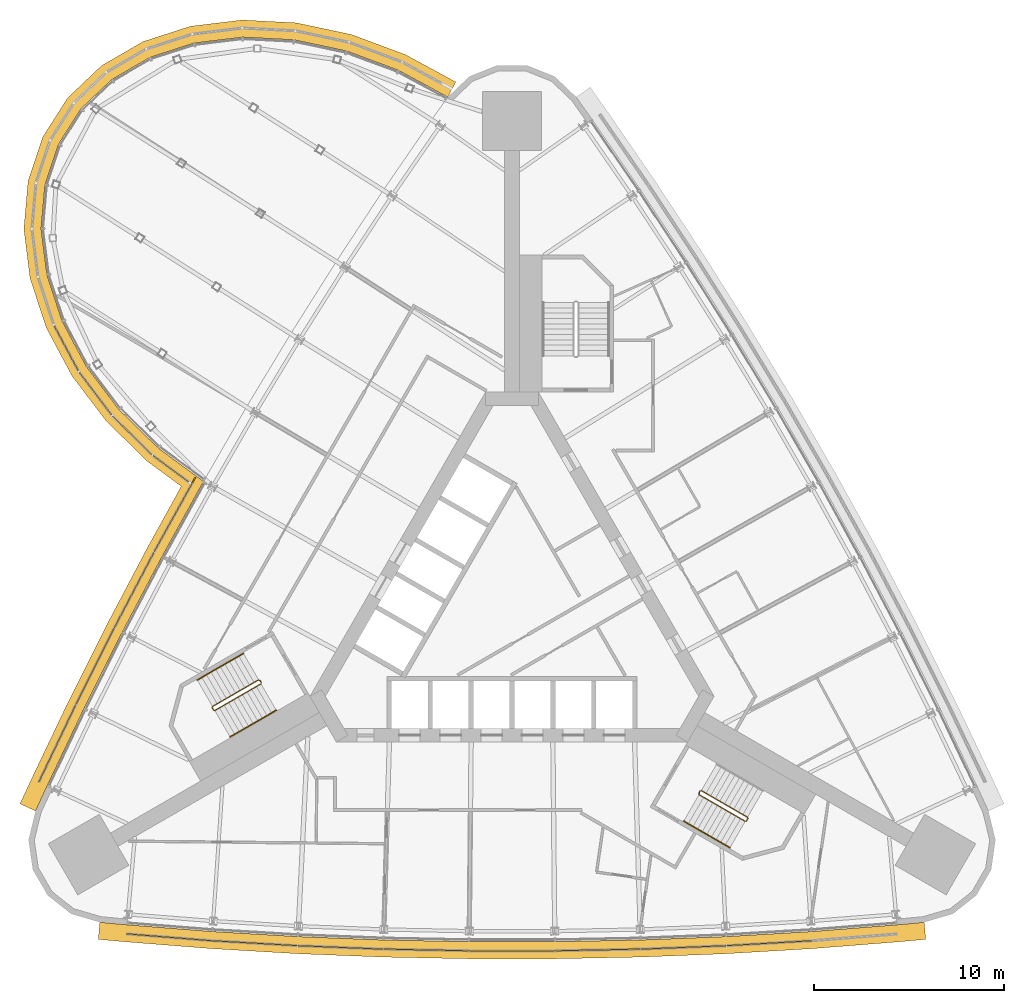
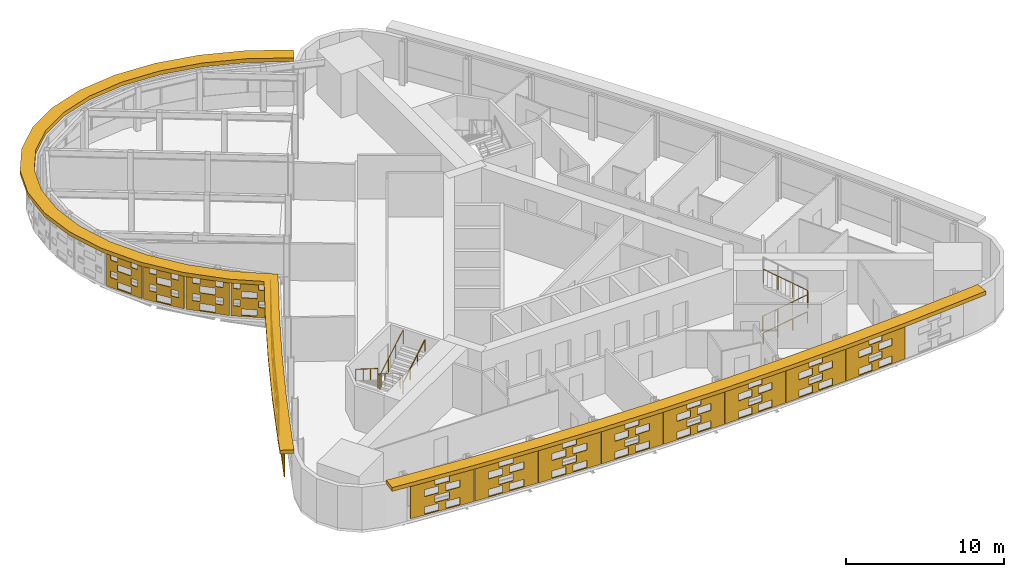
# One storey, part 15 of 17: 18 shading devices, 5 railings.
"""IFC4 building model written with IfcOpenShell, lengths in metres."""

from ifc_helpers import new_model, si_unit, direction, frame, origin, origin_2d, place, context, subcontext, project, spatial, polyline, circle, outline, extrude, material, layer, layer_set, material_profile, profile_set, type_object, element, save


model = new_model("IFC4")

# Units and contexts
model_context = context("Model", 3, precision=1e-05, world=origin(), true_north=direction((0.0, 1.0)))
body_context = subcontext(model_context, "Body", "Model", "MODEL_VIEW")
ifc_project = project(units=[si_unit("LENGTHUNIT", "METRE"), si_unit("AREAUNIT", "SQUARE_METRE"), si_unit("VOLUMEUNIT", "CUBIC_METRE"), si_unit("PLANEANGLEUNIT", "RADIAN"), si_unit("MASSUNIT", "GRAM", prefix="KILO")], contexts=[model_context])

# Site, building, storey
site_placement = place(None, origin())
site = spatial("IfcSite", under=ifc_project, at=site_placement, CompositionType="ELEMENT")
building_placement = place(site_placement, origin())
building = spatial("IfcBuilding", under=site, at=building_placement, Name="Noor Cloister Tower", CompositionType="ELEMENT")
storey_placement = place(building_placement, frame((0.0, 0.0, 102.300048828125)))
storey = spatial("IfcBuildingStorey", under=building, at=storey_placement, Name="L26", CompositionType="ELEMENT", Elevation=102.300048828125)

# Shading devices
ifc_material_1 = material(Name="Limestone", Category="masonry")
ifc_material_profile = material_profile(ifc_material_1, outline(polyline([(-2.22998046875, -1.35009765625), (2.22998046875, -1.35009765625), (2.22998046875, 1.35009765625), (-2.22998046875, 1.35009765625), (-2.22998046875, -1.35009765625)]), holes=[polyline([(-1.25, -1.282470703125), (-0.25, -1.282470703125), (-0.25, -0.742431640625), (-1.25, -0.742431640625), (-1.25, -1.282470703125)]), polyline([(0.25, -1.282470703125), (1.25, -1.282470703125), (1.25, -0.742431640625), (0.25, -0.742431640625), (0.25, -1.282470703125)]), polyline([(-0.5, -0.607421875), (0.5, -0.607421875), (0.5, -0.0673828125), (-0.5, -0.0673828125), (-0.5, -0.607421875)]), polyline([(-1.25, 0.0673828125), (-0.25, 0.0673828125), (-0.25, 0.607421875), (-1.25, 0.607421875), (-1.25, 0.0673828125)]), polyline([(0.25, 0.0673828125), (1.25, 0.0673828125), (1.25, 0.607421875), (0.25, 0.607421875), (0.25, 0.0673828125)]), polyline([(-0.5, 0.742431640625), (0.5, 0.742431640625), (0.5, 1.282470703125), (-0.5, 1.282470703125), (-0.5, 0.742431640625)])]), Name="Woven screen 28 percent open")
ifc_profile_set = profile_set([ifc_material_profile], Name="Limestone")
shading_device_type_1 = type_object("IfcShadingDeviceType", Name="SCREEN woven limestone 28 percent open", PredefinedType="USERDEFINED", material=ifc_profile_set)
shading_device_1_placement = place(storey_placement, frame((-17.6884765625, 5.006591796875, 1.849853515625), z_axis=(-0.874923997532, 0.484260259099, 0.0), x_axis=(-0.484260259099, -0.874923997532, 0.0)))
element("IfcShadingDevice", 1, at=shading_device_1_placement, inside=storey, type_object=shading_device_type_1, Name="SCREEN L26 18", ObjectType="SCREEN", PredefinedType="USERDEFINED", context=body_context, shape_type="SweptSolid", body=[
    extrude(outline(polyline([(-2.22998046875, -1.35009765625), (2.22998046875, -1.35009765625), (2.22998046875, 1.35009765625), (-2.22998046875, 1.35009765625), (-2.22998046875, -1.35009765625)]), holes=[polyline([(-1.25, -1.282470703125), (-0.25, -1.282470703125), (-0.25, -0.742431640625), (-1.25, -0.742431640625), (-1.25, -1.282470703125)]), polyline([(0.25, -1.282470703125), (1.25, -1.282470703125), (1.25, -0.742431640625), (0.25, -0.742431640625), (0.25, -1.282470703125)]), polyline([(-0.5, -0.607421875), (0.5, -0.607421875), (0.5, -0.0673828125), (-0.5, -0.0673828125), (-0.5, -0.607421875)]), polyline([(-1.25, 0.0673828125), (-0.25, 0.0673828125), (-0.25, 0.607421875), (-1.25, 0.607421875), (-1.25, 0.0673828125)]), polyline([(0.25, 0.0673828125), (1.25, 0.0673828125), (1.25, 0.607421875), (0.25, 0.607421875), (0.25, 0.0673828125)]), polyline([(-0.5, 0.742431640625), (0.5, 0.742431640625), (0.5, 1.282470703125), (-0.5, 1.282470703125), (-0.5, 0.742431640625)])]), origin(), (0.0, 0.0, 1.0), 0.06005859375),
])
shading_device_2_placement = place(storey_placement, frame((-19.82666015625, 1.037353515625, 1.849853515625), z_axis=(-0.885271944608, 0.465073740486, 0.0), x_axis=(-0.465073740486, -0.885271944608, 0.0)))
element("IfcShadingDevice", 2, at=shading_device_2_placement, inside=storey, type_object=shading_device_type_1, Name="SCREEN L26 19", ObjectType="SCREEN", PredefinedType="USERDEFINED", context=body_context, shape_type="SweptSolid", body=[
    extrude(outline(polyline([(-2.22998046875, -1.35009765625), (2.22998046875, -1.35009765625), (2.22998046875, 1.35009765625), (-2.22998046875, 1.35009765625), (-2.22998046875, -1.35009765625)]), holes=[polyline([(-1.25, -1.282470703125), (-0.25, -1.282470703125), (-0.25, -0.742431640625), (-1.25, -0.742431640625), (-1.25, -1.282470703125)]), polyline([(0.25, -1.282470703125), (1.25, -1.282470703125), (1.25, -0.742431640625), (0.25, -0.742431640625), (0.25, -1.282470703125)]), polyline([(-0.5, -0.607421875), (0.5, -0.607421875), (0.5, -0.0673828125), (-0.5, -0.0673828125), (-0.5, -0.607421875)]), polyline([(-1.25, 0.0673828125), (-0.25, 0.0673828125), (-0.25, 0.607421875), (-1.25, 0.607421875), (-1.25, 0.0673828125)]), polyline([(0.25, 0.0673828125), (1.25, 0.0673828125), (1.25, 0.607421875), (0.25, 0.607421875), (0.25, 0.0673828125)]), polyline([(-0.5, 0.742431640625), (0.5, 0.742431640625), (0.5, 1.282470703125), (-0.5, 1.282470703125), (-0.5, 0.742431640625)])]), origin(), (0.0, 0.0, 1.0), 0.059814453125),
])
for number, where, z_axis, x_axis, name in (
    (3, (-21.885986328125, -2.973388671875, 1.849853515625), (-0.894427191, 0.4472135955, 0.0), (-0.4472135955, -0.894427191, 0.0), "SCREEN L26 20"),
    (4, (-23.8662109375, -7.02392578125, 1.849853515625), (-0.902409201061, 0.430880068975, 0.0), (-0.430880068975, -0.902409201061, 0.0), "SCREEN L26 21"),
    (5, (-18.015869140625, -17.15673828125, 1.849853515625), (-0.081362009455, -0.996684615823, 0.0), (0.996684615823, -0.081362009455, 0.0), "SCREEN L26 1"),
):
    element("IfcShadingDevice", number, at=place(storey_placement, frame(where, z_axis=z_axis, x_axis=x_axis)), inside=storey, type_object=shading_device_type_1, Name=name, ObjectType="SCREEN", PredefinedType="USERDEFINED", context=body_context, shape_type="SweptSolid", body=[
        extrude(outline(polyline([(-2.22998046875, -1.35009765625), (2.22998046875, -1.35009765625), (2.22998046875, 1.35009765625), (-2.22998046875, 1.35009765625), (-2.22998046875, -1.35009765625)]), holes=[polyline([(-1.25, -1.282470703125), (-0.25, -1.282470703125), (-0.25, -0.742431640625), (-1.25, -0.742431640625), (-1.25, -1.282470703125)]), polyline([(0.25, -1.282470703125), (1.25, -1.282470703125), (1.25, -0.742431640625), (0.25, -0.742431640625), (0.25, -1.282470703125)]), polyline([(-0.5, -0.607421875), (0.5, -0.607421875), (0.5, -0.0673828125), (-0.5, -0.0673828125), (-0.5, -0.607421875)]), polyline([(-1.25, 0.0673828125), (-0.25, 0.0673828125), (-0.25, 0.607421875), (-1.25, 0.607421875), (-1.25, 0.0673828125)]), polyline([(0.25, 0.0673828125), (1.25, 0.0673828125), (1.25, 0.607421875), (0.25, 0.607421875), (0.25, 0.0673828125)]), polyline([(-0.5, 0.742431640625), (0.5, 0.742431640625), (0.5, 1.282470703125), (-0.5, 1.282470703125), (-0.5, 0.742431640625)])]), origin(), (0.0, 0.0, 1.0), 0.06005859375),
    ])
shading_device_3_placement = place(storey_placement, frame((-13.51806640625, -17.46728515625, 1.849853515625), z_axis=(-0.057049790539, -0.998371334424, 0.0), x_axis=(0.998371334424, -0.057049790539, 0.0)))
element("IfcShadingDevice", 6, at=shading_device_3_placement, inside=storey, type_object=shading_device_type_1, Name="SCREEN L26 2", ObjectType="SCREEN", PredefinedType="USERDEFINED", context=body_context, shape_type="SweptSolid", body=[
    extrude(outline(polyline([(-2.22998046875, -1.35009765625), (2.22998046875, -1.35009765625), (2.22998046875, 1.35009765625), (-2.22998046875, 1.35009765625), (-2.22998046875, -1.35009765625)]), holes=[polyline([(-1.25, -1.282470703125), (-0.25, -1.282470703125), (-0.25, -0.742431640625), (-1.25, -0.742431640625), (-1.25, -1.282470703125)]), polyline([(0.25, -1.282470703125), (1.25, -1.282470703125), (1.25, -0.742431640625), (0.25, -0.742431640625), (0.25, -1.282470703125)]), polyline([(-0.5, -0.607421875), (0.5, -0.607421875), (0.5, -0.0673828125), (-0.5, -0.0673828125), (-0.5, -0.607421875)]), polyline([(-1.25, 0.0673828125), (-0.25, 0.0673828125), (-0.25, 0.607421875), (-1.25, 0.607421875), (-1.25, 0.0673828125)]), polyline([(0.25, 0.0673828125), (1.25, 0.0673828125), (1.25, 0.607421875), (0.25, 0.607421875), (0.25, 0.0673828125)]), polyline([(-0.5, 0.742431640625), (0.5, 0.742431640625), (0.5, 1.282470703125), (-0.5, 1.282470703125), (-0.5, 0.742431640625)])]), origin(), (0.0, 0.0, 1.0), 0.059814453125),
])
for number, where, z_axis, x_axis, name in (
    (7, (-9.014892578125, -17.68896484375, 1.849853515625), (-0.040616861577, -0.999174794796, 0.0), (0.999174794796, -0.040616861577, 0.0), "SCREEN L26 3"),
    (8, (-4.50830078125, -17.822021484375, 1.849853515625), (-0.020321006241, -0.999793507033, 0.0), (0.999793507033, -0.020321006241, 0.0), "SCREEN L26 4"),
    (9, (0.0, -17.866455078125, 1.849853515625), (0.0, -1.0, 0.0), (1.0, 0.0, 0.0), "SCREEN L26 5"),
    (10, (4.50830078125, -17.822021484375, 1.849853515625), (0.020321006241, -0.999793507033, 0.0), (0.999793507033, 0.020321006241, 0.0), "SCREEN L26 6"),
    (11, (9.014892578125, -17.68896484375, 1.849853515625), (0.040616861577, -0.999174794796, 0.0), (0.999174794796, 0.040616861577, 0.0), "SCREEN L26 7"),
):
    element("IfcShadingDevice", number, at=place(storey_placement, frame(where, z_axis=z_axis, x_axis=x_axis)), inside=storey, type_object=shading_device_type_1, Name=name, ObjectType="SCREEN", PredefinedType="USERDEFINED", context=body_context, shape_type="SweptSolid", body=[
        extrude(outline(polyline([(-2.22998046875, -1.35009765625), (2.22998046875, -1.35009765625), (2.22998046875, 1.35009765625), (-2.22998046875, 1.35009765625), (-2.22998046875, -1.35009765625)]), holes=[polyline([(-1.25, -1.282470703125), (-0.25, -1.282470703125), (-0.25, -0.742431640625), (-1.25, -0.742431640625), (-1.25, -1.282470703125)]), polyline([(0.25, -1.282470703125), (1.25, -1.282470703125), (1.25, -0.742431640625), (0.25, -0.742431640625), (0.25, -1.282470703125)]), polyline([(-0.5, -0.607421875), (0.5, -0.607421875), (0.5, -0.0673828125), (-0.5, -0.0673828125), (-0.5, -0.607421875)]), polyline([(-1.25, 0.0673828125), (-0.25, 0.0673828125), (-0.25, 0.607421875), (-1.25, 0.607421875), (-1.25, 0.0673828125)]), polyline([(0.25, 0.0673828125), (1.25, 0.0673828125), (1.25, 0.607421875), (0.25, 0.607421875), (0.25, 0.0673828125)]), polyline([(-0.5, 0.742431640625), (0.5, 0.742431640625), (0.5, 1.282470703125), (-0.5, 1.282470703125), (-0.5, 0.742431640625)])]), origin(), (0.0, 0.0, 1.0), 0.06005859375),
    ])
shading_device_4_placement = place(storey_placement, frame((13.51806640625, -17.46728515625, 1.849853515625), z_axis=(0.057049790539, -0.998371334424, 0.0), x_axis=(0.998371334424, 0.057049790539, 0.0)))
element("IfcShadingDevice", 12, at=shading_device_4_placement, inside=storey, type_object=shading_device_type_1, Name="SCREEN L26 8", ObjectType="SCREEN", PredefinedType="USERDEFINED", context=body_context, shape_type="SweptSolid", body=[
    extrude(outline(polyline([(-2.22998046875, -1.35009765625), (2.22998046875, -1.35009765625), (2.22998046875, 1.35009765625), (-2.22998046875, 1.35009765625), (-2.22998046875, -1.35009765625)]), holes=[polyline([(-1.25, -1.282470703125), (-0.25, -1.282470703125), (-0.25, -0.742431640625), (-1.25, -0.742431640625), (-1.25, -1.282470703125)]), polyline([(0.25, -1.282470703125), (1.25, -1.282470703125), (1.25, -0.742431640625), (0.25, -0.742431640625), (0.25, -1.282470703125)]), polyline([(-0.5, -0.607421875), (0.5, -0.607421875), (0.5, -0.0673828125), (-0.5, -0.0673828125), (-0.5, -0.607421875)]), polyline([(-1.25, 0.0673828125), (-0.25, 0.0673828125), (-0.25, 0.607421875), (-1.25, 0.607421875), (-1.25, 0.0673828125)]), polyline([(0.25, 0.0673828125), (1.25, 0.0673828125), (1.25, 0.607421875), (0.25, 0.607421875), (0.25, 0.0673828125)]), polyline([(-0.5, 0.742431640625), (0.5, 0.742431640625), (0.5, 1.282470703125), (-0.5, 1.282470703125), (-0.5, 0.742431640625)])]), origin(), (0.0, 0.0, 1.0), 0.059814453125),
])
ifc_material_2 = material(Name="Limestone", Category="masonry")
ifc_layer = layer(ifc_material_2, 0.06005859375)
ifc_layer_set = layer_set([ifc_layer], Name="SCREEN woven limestone pod 28 percent open")
shading_device_type_2 = type_object("IfcShadingDeviceType", Name="SCREEN woven limestone pod 28 percent open", PredefinedType="USERDEFINED", material=ifc_layer_set)
shading_device_5_placement = place(storey_placement, frame((-23.390380859375, 13.770751953125, 1.849853515625), z_axis=(-0.88190253726, -0.47143177107, 0.0), x_axis=(0.47143177107, -0.88190253726, 0.0)))
element("IfcShadingDevice", 13, at=shading_device_5_placement, inside=storey, type_object=shading_device_type_2, Name="SCREEN L26 14", ObjectType="SCREEN", PredefinedType="USERDEFINED", context=body_context, shape_type="SweptSolid", body=[
    extrude(outline(polyline([(-1.3330078125, -1.35009765625), (1.3330078125, -1.35009765625), (1.3330078125, 1.35009765625), (-1.3330078125, 1.35009765625), (-1.3330078125, -1.35009765625)]), holes=[polyline([(-0.5, -1.264404296875), (0.5, -1.264404296875), (0.5, -0.760498046875), (-0.5, -0.760498046875), (-0.5, -1.264404296875)]), polyline([(-1.0, -0.58935546875), (-0.5, -0.58935546875), (-0.5, -0.085693359375), (-1.0, -0.085693359375), (-1.0, -0.58935546875)]), polyline([(0.5, -0.58935546875), (1.0, -0.58935546875), (1.0, -0.085693359375), (0.5, -0.085693359375), (0.5, -0.58935546875)]), polyline([(-0.5, 0.085693359375), (0.5, 0.085693359375), (0.5, 0.58935546875), (-0.5, 0.58935546875), (-0.5, 0.085693359375)]), polyline([(-1.0, 0.760498046875), (-0.5, 0.760498046875), (-0.5, 1.264404296875), (-1.0, 1.264404296875), (-1.0, 0.760498046875)]), polyline([(0.5, 0.760498046875), (1.0, 0.760498046875), (1.0, 1.264404296875), (0.5, 1.264404296875), (0.5, 0.760498046875)])]), origin(), (0.0, 0.0, 1.0), 0.06005859375),
])
shading_device_6_placement = place(storey_placement, frame((-21.863037109375, 11.393798828125, 1.849853515625), z_axis=(-0.798041368931, -0.602602666336, 0.0), x_axis=(0.602602666336, -0.798041368931, 0.0)))
element("IfcShadingDevice", 14, at=shading_device_6_placement, inside=storey, type_object=shading_device_type_2, Name="SCREEN L26 15", ObjectType="SCREEN", PredefinedType="USERDEFINED", context=body_context, shape_type="SweptSolid", body=[
    extrude(outline(polyline([(-1.39013671875, -1.35009765625), (1.39013671875, -1.35009765625), (1.39013671875, 1.35009765625), (-1.39013671875, 1.35009765625), (-1.39013671875, -1.35009765625)]), holes=[polyline([(-0.5, -1.275146484375), (0.5, -1.275146484375), (0.5, -0.749755859375), (-0.5, -0.749755859375), (-0.5, -1.275146484375)]), polyline([(-1.0, -0.600341796875), (-0.5, -0.600341796875), (-0.5, -0.07470703125), (-1.0, -0.07470703125), (-1.0, -0.600341796875)]), polyline([(0.5, -0.600341796875), (1.0, -0.600341796875), (1.0, -0.07470703125), (0.5, -0.07470703125), (0.5, -0.600341796875)]), polyline([(-0.5, 0.07470703125), (0.5, 0.07470703125), (0.5, 0.600341796875), (-0.5, 0.600341796875), (-0.5, 0.07470703125)]), polyline([(-1.0, 0.749755859375), (-0.5, 0.749755859375), (-0.5, 1.275146484375), (-1.0, 1.275146484375), (-1.0, 0.749755859375)]), polyline([(0.5, 0.749755859375), (1.0, 0.749755859375), (1.0, 1.275146484375), (0.5, 1.275146484375), (0.5, 0.749755859375)])]), origin(), (0.0, 0.0, 1.0), 0.06005859375),
])
shading_device_7_placement = place(storey_placement, frame((-19.931640625, 9.20361328125, 1.849853515625), z_axis=(-0.70096726958, -0.713193442887, 0.0), x_axis=(0.713193442887, -0.70096726958, 0.0)))
element("IfcShadingDevice", 15, at=shading_device_7_placement, inside=storey, type_object=shading_device_type_2, Name="SCREEN L26 16", ObjectType="SCREEN", PredefinedType="USERDEFINED", context=body_context, shape_type="SweptSolid", body=[
    extrude(outline(polyline([(-1.431640625, -1.35009765625), (1.431640625, -1.35009765625), (1.431640625, 1.35009765625), (-1.431640625, 1.35009765625), (-1.431640625, -1.35009765625)]), holes=[polyline([(-0.5, -1.282470703125), (0.5, -1.282470703125), (0.5, -0.742431640625), (-0.5, -0.742431640625), (-0.5, -1.282470703125)]), polyline([(-1.0, -0.607421875), (-0.5, -0.607421875), (-0.5, -0.0673828125), (-1.0, -0.0673828125), (-1.0, -0.607421875)]), polyline([(0.5, -0.607421875), (1.0, -0.607421875), (1.0, -0.0673828125), (0.5, -0.0673828125), (0.5, -0.607421875)]), polyline([(-0.5, 0.0673828125), (0.5, 0.0673828125), (0.5, 0.607421875), (-0.5, 0.607421875), (-0.5, 0.0673828125)]), polyline([(-1.0, 0.742431640625), (-0.5, 0.742431640625), (-0.5, 1.282470703125), (-1.0, 1.282470703125), (-1.0, 0.742431640625)]), polyline([(0.5, 0.742431640625), (1.0, 0.742431640625), (1.0, 1.282470703125), (0.5, 1.282470703125), (0.5, 0.742431640625)])]), origin(), (0.0, 0.0, 1.0), 0.059814453125),
])
shading_device_8_placement = place(storey_placement, frame((-17.902587890625, 7.449951171875, 1.849853515625), z_axis=(-0.593476321419, -0.804851449595, 0.0), x_axis=(0.804851449595, -0.593476321419, 0.0)))
element("IfcShadingDevice", 16, at=shading_device_8_placement, inside=storey, type_object=shading_device_type_2, Name="SCREEN L26 17", ObjectType="SCREEN", PredefinedType="USERDEFINED", context=body_context, shape_type="SweptSolid", body=[
    extrude(outline(polyline([(-1.153564453125, -1.35009765625), (1.153564453125, -1.35009765625), (1.153564453125, 1.35009765625), (-1.153564453125, 1.35009765625), (-1.153564453125, -1.35009765625)]), holes=[polyline([(-0.5, -1.25390625), (0.5, -1.25390625), (0.5, -0.771240234375), (-0.5, -0.771240234375), (-0.5, -1.25390625)]), polyline([(0.60009765625, -0.578857421875), (1.00341796875, -0.578857421875), (1.00341796875, -0.09619140625), (0.60009765625, -0.09619140625), (0.60009765625, -0.578857421875)]), polyline([(-1.00341796875, -0.578857421875), (-0.60009765625, -0.578857421875), (-0.60009765625, -0.09619140625), (-1.00341796875, -0.09619140625), (-1.00341796875, -0.578857421875)]), polyline([(-0.5, 0.09619140625), (0.5, 0.09619140625), (0.5, 0.578857421875), (-0.5, 0.578857421875), (-0.5, 0.09619140625)]), polyline([(0.60009765625, 0.771240234375), (1.00341796875, 0.771240234375), (1.00341796875, 1.25390625), (0.60009765625, 1.25390625), (0.60009765625, 0.771240234375)]), polyline([(-1.00341796875, 0.771240234375), (-0.60009765625, 0.771240234375), (-0.60009765625, 1.25390625), (-1.00341796875, 1.25390625), (-1.00341796875, 0.771240234375)])]), origin(), (0.0, 0.0, 1.0), 0.06005859375),
])
ifc_material_3 = material(Name="Limestone", Category="masonry")
shading_device_type_3 = type_object("IfcShadingDeviceType", Name="SUNSHADE limestone band 900", PredefinedType="USERDEFINED", material=ifc_material_3)
shading_device_9_placement = place(storey_placement, frame((0.0, 0.0, 3.300048828125)))
element("IfcShadingDevice", 17, at=shading_device_9_placement, inside=storey, type_object=shading_device_type_3, Name="SUNSHADE L26 1", ObjectType="SUNSHADE", PredefinedType="USERDEFINED", context=body_context, shape_type="SweptSolid", body=[
    extrude(outline(polyline([(-2.946533203125, 27.743896484375), (-5.5927734375, 29.178955078125), (-8.43505859375, 30.2373046875), (-11.32763671875, 30.85302734375), (-14.1787109375, 31.001708984375), (-16.896240234375, 30.671875), (-19.38916015625, 29.864990234375), (-21.56787109375, 28.598388671875), (-23.34619140625, 26.908935546875), (-24.649169921875, 24.85888671875), (-25.42333984375, 22.53125), (-25.64501953125, 20.020751953125), (-25.31689453125, 17.421142578125), (-24.461669921875, 14.82080078125), (-23.1162109375, 12.302734375), (-21.330322265625, 9.9453125), (-19.1650390625, 7.821533203125), (-17.377197265625, 6.50341796875), (-19.17333984375, 3.245849609375), (-21.2763671875, -0.75244140625), (-23.30029296875, -4.791259765625), (-25.2431640625, -8.866455078125), (-25.846923828125, -10.17626953125), (-25.029541015625, -10.552978515625), (-24.42822265625, -9.24853515625), (-22.49169921875, -5.1865234375), (-20.475830078125, -1.16357421875), (-18.380859375, 2.819091796875), (-16.2080078125, 6.759765625), (-18.580078125, 8.508544921875), (-20.65283203125, 10.54150390625), (-22.35595703125, 12.78955078125), (-23.631103515625, 15.17626953125), (-24.434814453125, 17.619873046875), (-24.739990234375, 20.03759765625), (-24.5361328125, 22.34716796875), (-23.830078125, 24.469482421875), (-22.646240234375, 26.332763671875), (-21.0244140625, 27.873291015625), (-19.02001953125, 29.03857421875), (-16.70166015625, 29.7890625), (-14.147705078125, 30.098876953125), (-11.445556640625, 29.9580078125), (-8.68701171875, 29.370849609375), (-5.96630859375, 28.357666015625), (-3.37548828125, 26.95263671875), (-2.946533203125, 27.743896484375)])), origin(), (0.0, 0.0, 1.0), 0.2998046875),
])
shading_device_10_placement = place(storey_placement, frame((0.0, 0.0, 3.300048828125)))
element("IfcShadingDevice", 18, at=shading_device_10_placement, inside=storey, type_object=shading_device_type_3, Name="SUNSHADE L26 2", ObjectType="SUNSHADE", PredefinedType="USERDEFINED", context=body_context, shape_type="SweptSolid", body=[
    extrude(outline(polyline([(-21.736328125, -17.2958984375), (-20.300048828125, -17.427978515625), (-15.799560546875, -17.783203125), (-11.289794921875, -18.0498046875), (-6.775634765625, -18.2275390625), (-2.2587890625, -18.31640625), (2.2587890625, -18.31640625), (6.775634765625, -18.2275390625), (11.289794921875, -18.0498046875), (15.799560546875, -17.783203125), (20.300048828125, -17.427978515625), (21.736328125, -17.2958984375), (21.65380859375, -16.399658203125), (20.2236328125, -16.53125), (15.737548828125, -16.88525390625), (11.245361328125, -17.150634765625), (6.7490234375, -17.327880859375), (2.25, -17.41650390625), (-2.25, -17.41650390625), (-6.7490234375, -17.327880859375), (-11.245361328125, -17.150634765625), (-15.737548828125, -16.88525390625), (-20.2236328125, -16.53125), (-21.65380859375, -16.399658203125), (-21.736328125, -17.2958984375)])), origin(), (0.0, 0.0, 1.0), 0.2998046875),
])

# Railings
ifc_material_4 = material(Name="Stainless steel", Category="steel")
railing_type_1 = type_object("IfcRailingType", Name="Stair guard 1100", PredefinedType="GUARDRAIL", material=ifc_material_4)
railing_1_placement = place(storey_placement, frame((-13.241455078125, -3.677734375, 0.0)))
element("IfcRailing", 19, at=railing_1_placement, inside=storey, type_object=railing_type_1, Name="Stair guard ST2 L26", PredefinedType="GUARDRAIL", context=body_context, shape_type="SweptSolid", body=[
    extrude(circle(Radius=0.02392578125, at=origin_2d()), frame((0.0, 0.0, 1.076171875), z_axis=(0.499112439033, -0.866537231285, 0.0), x_axis=(0.866537231285, 0.499112439033, 0.0)), (0.0, 0.0, 1.0), 0.150146484375),
    extrude(circle(Radius=0.02392578125, at=origin_2d()), frame((0.074951171875, -0.130126953125, 1.076171875), z_axis=(-0.544565797804, 0.563119998752, 0.621565731736), x_axis=(-0.718850276695, -0.695164929852, 0.0)), (0.0, 0.0, 1.0), 0.26318359375),
    extrude(circle(Radius=0.02392578125, at=origin_2d()), frame((-0.068359375, 0.01806640625, 1.23974609375), z_axis=(-0.747689811644, -0.431660630283, 0.504607813879), x_axis=(0.49998411664, -0.866034573852, 0.0)), (0.0, 0.0, 1.0), 3.2431640625),
    extrude(circle(Radius=0.02392578125, at=origin_2d()), frame((-2.4931640625, -1.3818359375, 2.8759765625), z_axis=(-0.258736085224, -0.965948051503, 0.0), x_axis=(0.965948051503, -0.258736085224, 0.0)), (0.0, 0.0, 1.0), 0.07080078125),
    extrude(circle(Radius=0.02392578125, at=origin_2d()), frame((-2.511474609375, -1.4501953125, 2.8759765625), z_axis=(0.499816412211, -0.866131372301, 0.0), x_axis=(0.866131372301, 0.499816412211, 0.0)), (0.0, 0.0, 1.0), 0.14990234375),
    extrude(circle(Radius=0.02392578125, at=origin_2d()), frame((-2.4365234375, -1.580078125, 2.8759765625), z_axis=(0.383552647116, -0.102737316192, 0.917786691313), x_axis=(0.258736085224, 0.965948051503, 0.0)), (0.0, 0.0, 1.0), 0.17822265625),
    extrude(circle(Radius=0.02392578125, at=origin_2d()), frame((-2.3681640625, -1.598388671875, 3.03955078125), z_axis=(0.747693913401, 0.431738279637, 0.504535300807), x_axis=(-0.500049511043, 0.865996816683, 0.0)), (0.0, 0.0, 1.0), 3.2431640625),
    extrude(circle(Radius=0.02099609375, at=origin_2d()), origin(), (0.0, 0.0, 1.0), 1.052001953125),
    extrude(circle(Radius=0.02099609375, at=origin_2d()), frame((0.074951171875, -0.130126953125, 0.0)), (0.0, 0.0, 1.0), 1.052001953125),
    extrude(circle(Radius=0.02099609375, at=origin_2d()), frame((-0.068359375, 0.01806640625, 0.16357421875)), (0.0, 0.0, 1.0), 1.052001953125),
    extrude(circle(Radius=0.02099609375, at=origin_2d()), frame((-0.876708984375, -0.448486328125, 0.708984375)), (0.0, 0.0, 1.0), 1.052001953125),
    extrude(circle(Radius=0.02099609375, at=origin_2d()), frame((-1.684814453125, -0.915283203125, 1.254638671875)), (0.0, 0.0, 1.0), 1.052001953125),
    extrude(circle(Radius=0.02099609375, at=origin_2d()), frame((-2.4931640625, -1.3818359375, 1.800048828125)), (0.0, 0.0, 1.0), 1.052001953125),
    extrude(circle(Radius=0.02099609375, at=origin_2d()), frame((-2.511474609375, -1.4501953125, 1.800048828125)), (0.0, 0.0, 1.0), 1.052001953125),
    extrude(circle(Radius=0.02099609375, at=origin_2d()), frame((-2.4365234375, -1.580078125, 1.800048828125)), (0.0, 0.0, 1.0), 1.052001953125),
    extrude(circle(Radius=0.02099609375, at=origin_2d()), frame((-2.3681640625, -1.598388671875, 1.963623046875)), (0.0, 0.0, 1.0), 1.052001953125),
    extrude(circle(Radius=0.02099609375, at=origin_2d()), frame((-1.559814453125, -1.131591796875, 2.509033203125)), (0.0, 0.0, 1.0), 1.052001953125),
    extrude(circle(Radius=0.02099609375, at=origin_2d()), frame((-0.751708984375, -0.6650390625, 3.054443359375)), (0.0, 0.0, 1.0), 1.052001953125),
    extrude(circle(Radius=0.02099609375, at=origin_2d()), frame((0.056640625, -0.1982421875, 3.599853515625)), (0.0, 0.0, 1.0), 1.052001953125),
])
railing_2_placement = place(storey_placement, frame((9.805908203125, -9.628662109375, 0.0)))
element("IfcRailing", 20, at=railing_2_placement, inside=storey, type_object=railing_type_1, Name="Stair guard ST3 L26", PredefinedType="GUARDRAIL", context=body_context, shape_type="SweptSolid", body=[
    extrude(circle(Radius=0.02392578125, at=origin_2d()), frame((0.0, 0.0, 1.076171875), z_axis=(0.499112439033, 0.866537231285, 0.0), x_axis=(-0.866537231285, 0.499112439033, 0.0)), (0.0, 0.0, 1.0), 0.150146484375),
    extrude(circle(Radius=0.02392578125, at=origin_2d()), frame((0.074951171875, 0.130126953125, 1.076171875), z_axis=(-0.215214839654, -0.753251938789, 0.621525614518), x_axis=(0.961523947641, -0.274721127897, 0.0)), (0.0, 0.0, 1.0), 0.26318359375),
    extrude(circle(Radius=0.02392578125, at=origin_2d()), frame((0.018310546875, -0.068115234375, 1.23974609375), z_axis=(0.747665513933, -0.431721881032, 0.504591415616), x_axis=(0.500049511043, 0.865996816683, 0.0)), (0.0, 0.0, 1.0), 3.2431640625),
    extrude(circle(Radius=0.02392578125, at=origin_2d()), frame((2.443115234375, -1.46826171875, 2.8759765625), z_axis=(0.965948051503, 0.258736085224, 0.0), x_axis=(-0.258736085224, 0.965948051503, 0.0)), (0.0, 0.0, 1.0), 0.07080078125),
    extrude(circle(Radius=0.02392578125, at=origin_2d()), frame((2.511474609375, -1.449951171875, 2.8759765625), z_axis=(0.499816412211, 0.866131372301, 0.0), x_axis=(-0.866131372301, 0.499816412211, 0.0)), (0.0, 0.0, 1.0), 0.14990234375),
    extrude(circle(Radius=0.02392578125, at=origin_2d()), frame((2.58642578125, -1.320068359375, 2.8759765625), z_axis=(-0.102737316192, 0.383552647116, 0.917786691313), x_axis=(-0.965948051503, -0.258736085224, 0.0)), (0.0, 0.0, 1.0), 0.17822265625),
    extrude(circle(Radius=0.02392578125, at=origin_2d()), frame((2.568115234375, -1.251708984375, 3.03955078125), z_axis=(-0.74771821388, 0.431677027627, 0.504551698492), x_axis=(-0.49998411664, -0.866034573852, 0.0)), (0.0, 0.0, 1.0), 3.242919921875),
    extrude(circle(Radius=0.02099609375, at=origin_2d()), origin(), (0.0, 0.0, 1.0), 1.052001953125),
    extrude(circle(Radius=0.02099609375, at=origin_2d()), frame((0.074951171875, 0.130126953125, 0.0)), (0.0, 0.0, 1.0), 1.052001953125),
    extrude(circle(Radius=0.02099609375, at=origin_2d()), frame((0.018310546875, -0.068115234375, 0.16357421875)), (0.0, 0.0, 1.0), 1.052001953125),
    extrude(circle(Radius=0.02099609375, at=origin_2d()), frame((0.82666015625, -0.534912109375, 0.708984375)), (0.0, 0.0, 1.0), 1.052001953125),
    extrude(circle(Radius=0.02099609375, at=origin_2d()), frame((1.634765625, -1.00146484375, 1.254638671875)), (0.0, 0.0, 1.0), 1.052001953125),
    extrude(circle(Radius=0.02099609375, at=origin_2d()), frame((2.443115234375, -1.46826171875, 1.800048828125)), (0.0, 0.0, 1.0), 1.052001953125),
    extrude(circle(Radius=0.02099609375, at=origin_2d()), frame((2.511474609375, -1.449951171875, 1.800048828125)), (0.0, 0.0, 1.0), 1.052001953125),
    extrude(circle(Radius=0.02099609375, at=origin_2d()), frame((2.58642578125, -1.320068359375, 1.800048828125)), (0.0, 0.0, 1.0), 1.052001953125),
    extrude(circle(Radius=0.02099609375, at=origin_2d()), frame((2.568115234375, -1.251708984375, 1.963623046875)), (0.0, 0.0, 1.0), 1.052001953125),
    extrude(circle(Radius=0.02099609375, at=origin_2d()), frame((1.759765625, -0.78515625, 2.509033203125)), (0.0, 0.0, 1.0), 1.052001953125),
    extrude(circle(Radius=0.02099609375, at=origin_2d()), frame((0.95166015625, -0.318359375, 3.054443359375)), (0.0, 0.0, 1.0), 1.052001953125),
    extrude(circle(Radius=0.02099609375, at=origin_2d()), frame((0.143310546875, 0.148193359375, 3.599853515625)), (0.0, 0.0, 1.0), 1.052001953125),
])
ifc_material_5 = material(Name="Stainless steel", Category="steel")
railing_type_2 = type_object("IfcRailingType", Name="Stair handrail 900", PredefinedType="HANDRAIL", material=ifc_material_5)
railing_3_placement = place(storey_placement, frame((-14.10986328125, -2.27392578125, 0.16357421875)))
element("IfcRailing", 21, at=railing_3_placement, inside=storey, type_object=railing_type_2, Name="Stair handrail ST2 L26 1", PredefinedType="HANDRAIL", context=body_context, shape_type="SweptSolid", body=[
    extrude(circle(Radius=0.02392578125, at=origin_2d()), frame((0.0, 0.0, 0.8759765625), z_axis=(-0.747689811644, -0.431660630283, 0.504607813879), x_axis=(0.49998411664, -0.866034573852, 0.0)), (0.0, 0.0, 1.0), 3.2431640625),
    extrude(circle(Radius=0.02099609375, at=origin_2d()), origin(), (0.0, 0.0, 1.0), 0.851806640625),
    extrude(circle(Radius=0.02099609375, at=origin_2d()), frame((-0.808349609375, -0.466552734375, 0.54541015625)), (0.0, 0.0, 1.0), 0.851806640625),
    extrude(circle(Radius=0.02099609375, at=origin_2d()), frame((-1.616455078125, -0.933349609375, 1.091064453125)), (0.0, 0.0, 1.0), 0.851806640625),
    extrude(circle(Radius=0.02099609375, at=origin_2d()), frame((-2.4248046875, -1.39990234375, 1.636474609375)), (0.0, 0.0, 1.0), 0.851806640625),
])
railing_4_placement = place(storey_placement, frame((-14.8095703125, -6.66162109375, 1.963623046875)))
element("IfcRailing", 22, at=railing_4_placement, inside=storey, type_object=railing_type_2, Name="Stair handrail ST2 L26 2", PredefinedType="HANDRAIL", context=body_context, shape_type="SweptSolid", body=[
    extrude(circle(Radius=0.02392578125, at=origin_2d()), frame((0.0, 0.0, 0.8759765625), z_axis=(0.74771821388, 0.431677027627, 0.504551698492), x_axis=(-0.49998411664, 0.866034573852, 0.0)), (0.0, 0.0, 1.0), 3.242919921875),
    extrude(circle(Radius=0.02099609375, at=origin_2d()), origin(), (0.0, 0.0, 1.0), 0.851806640625),
    extrude(circle(Radius=0.02099609375, at=origin_2d()), frame((0.808349609375, 0.466552734375, 0.54541015625)), (0.0, 0.0, 1.0), 0.851806640625),
    extrude(circle(Radius=0.02099609375, at=origin_2d()), frame((1.616455078125, 0.933349609375, 1.0908203125)), (0.0, 0.0, 1.0), 0.851806640625),
    extrude(circle(Radius=0.02099609375, at=origin_2d()), frame((2.4248046875, 1.39990234375, 1.63623046875)), (0.0, 0.0, 1.0), 0.851806640625),
])
railing_5_placement = place(storey_placement, frame((9.024169921875, -11.08251953125, 0.16357421875)))
element("IfcRailing", 23, at=railing_5_placement, inside=storey, type_object=railing_type_2, Name="Stair handrail ST3 L26 1", PredefinedType="HANDRAIL", context=body_context, shape_type="SweptSolid", body=[
    extrude(circle(Radius=0.02392578125, at=origin_2d()), frame((0.0, 0.0, 0.8759765625), z_axis=(0.747689811644, -0.431660630283, 0.504607813879), x_axis=(0.49998411664, 0.866034573852, 0.0)), (0.0, 0.0, 1.0), 3.2431640625),
    extrude(circle(Radius=0.02099609375, at=origin_2d()), origin(), (0.0, 0.0, 1.0), 0.851806640625),
    extrude(circle(Radius=0.02099609375, at=origin_2d()), frame((0.808349609375, -0.466552734375, 0.54541015625)), (0.0, 0.0, 1.0), 0.851806640625),
    extrude(circle(Radius=0.02099609375, at=origin_2d()), frame((1.616455078125, -0.933349609375, 1.091064453125)), (0.0, 0.0, 1.0), 0.851806640625),
    extrude(circle(Radius=0.02099609375, at=origin_2d()), frame((2.4248046875, -1.39990234375, 1.636474609375)), (0.0, 0.0, 1.0), 0.851806640625),
])

save(model, "model.ifc")
